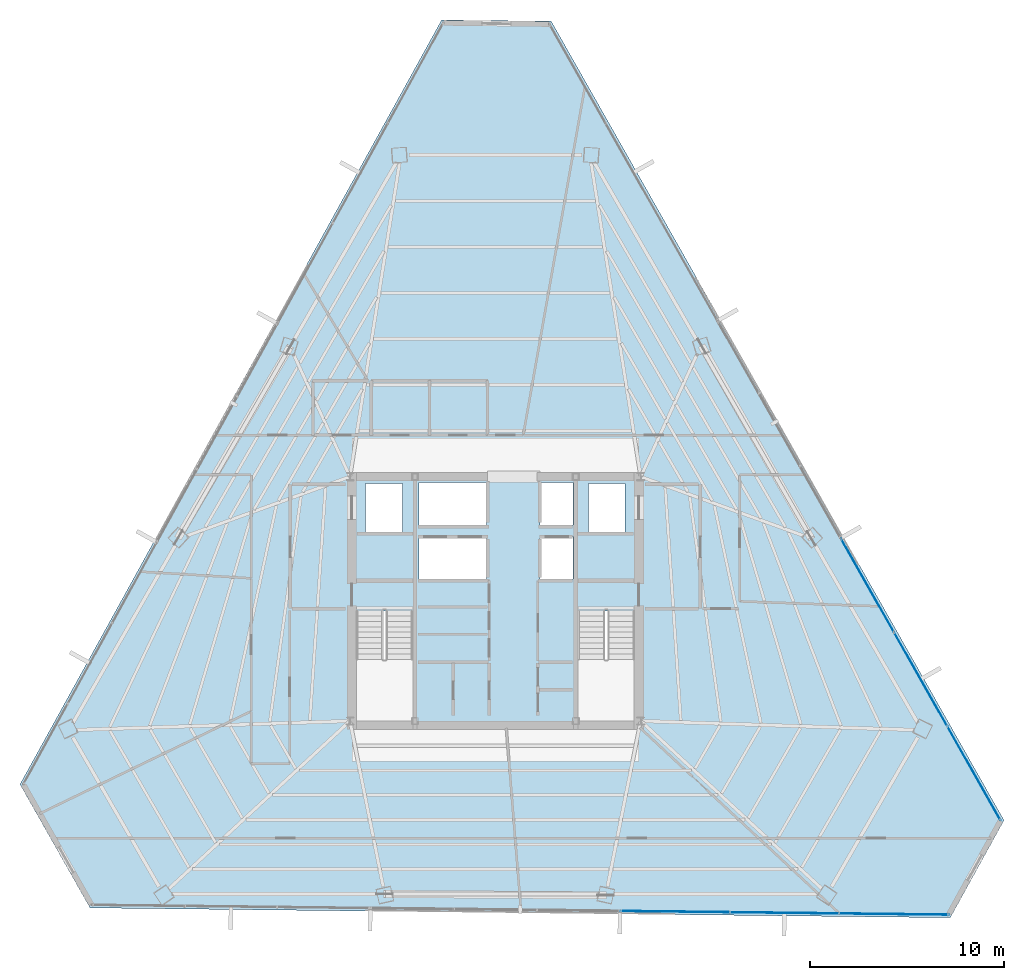
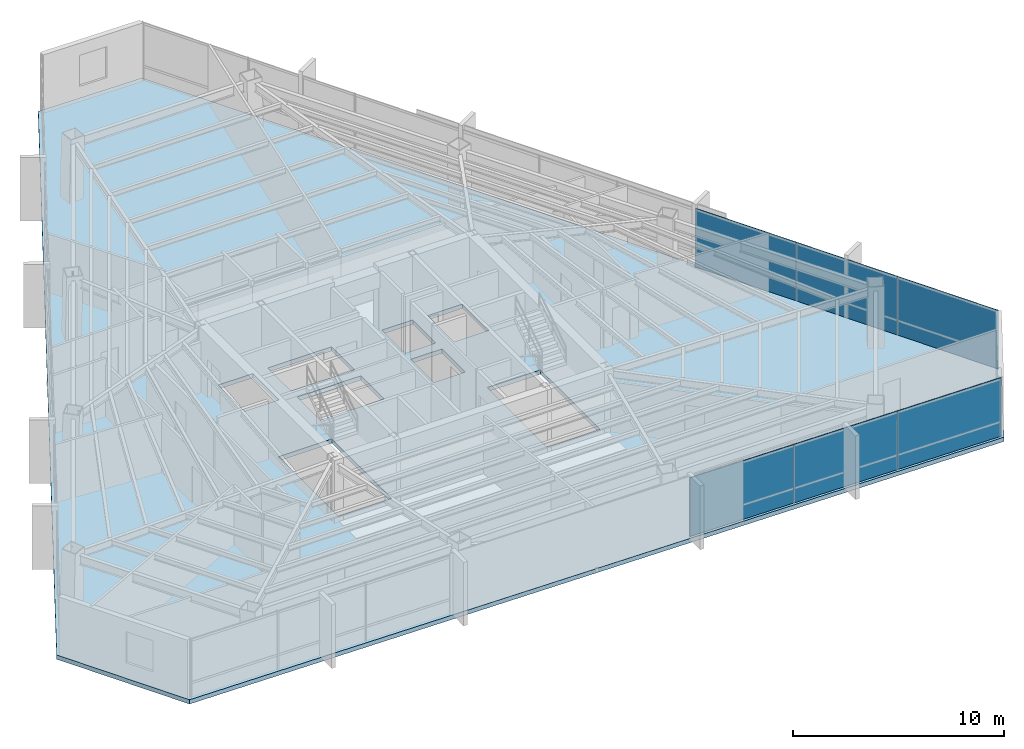
# One storey, part 34 of 41: 6 plates, 1 slab, 2 elements without a shape of their own.
"""IFC4 building model written with IfcOpenShell, lengths in metres."""

from ifc_helpers import new_model, si_unit, direction, frame, origin, origin_2d, place, context, subcontext, project, spatial, polyline, rectangle, outline, extrude, source, transform, mapped, material, layer, layer_set, type_object, type_shapes, element, aggregate, save


model = new_model("IFC4")

# Units and contexts
model_context = context("Model", 3, precision=1e-05, world=origin(), true_north=direction((0.0, 1.0)))
body_context = subcontext(model_context, "Body", "Model", "MODEL_VIEW")
ifc_project = project(units=[si_unit("LENGTHUNIT", "METRE"), si_unit("AREAUNIT", "SQUARE_METRE"), si_unit("VOLUMEUNIT", "CUBIC_METRE"), si_unit("PLANEANGLEUNIT", "RADIAN"), si_unit("MASSUNIT", "GRAM", prefix="KILO")], contexts=[model_context])

# Site, building, storey
site_placement = place(None, origin())
site = spatial("IfcSite", under=ifc_project, at=site_placement, CompositionType="ELEMENT")
building_placement = place(site_placement, origin())
building = spatial("IfcBuilding", under=site, at=building_placement, Name="Caelisora Broadcast Tower", CompositionType="ELEMENT")
storey_placement = place(building_placement, frame((0.0, 0.0, 209.60009765625)))
storey = spatial("IfcBuildingStorey", under=building, at=storey_placement, Name="L55", CompositionType="ELEMENT", Elevation=209.60009765625)

# Slab
ifc_material_1 = material(Name="Concrete 40 MPa (AS 3600 N40)", Category="concrete")
ifc_layer_1 = layer(ifc_material_1, 0.25, Name="Concrete 40 MPa (AS 3600 N40)")
ifc_layer_set_1 = layer_set([ifc_layer_1], Name="Concrete 40 MPa (AS 3600 N40)")
slab_type = type_object("IfcSlabType", Name="SL04", PredefinedType="FLOOR", material=ifc_layer_set_1)
slab_placement = place(storey_placement, frame((0.0, 0.0, -0.25)))
element("IfcSlab", 1, at=slab_placement, inside=storey, type_object=slab_type, Name="L55 suspended floor SL04", PredefinedType="FLOOR", context=body_context, shape_type="SweptSolid", body=[
    extrude(outline(polyline([(40.883056640625, 53.498046875), (35.22900390625, 53.56201171875), (13.47802734375, 14.131103515625), (17.089111328125, 7.757080078125), (61.468994140625, 7.25), (64.240966796875, 12.27392578125), (40.883056640625, 53.498046875)]), holes=[polyline([(30.820068359375, 17.39990234375), (33.739990234375, 17.39990234375), (33.739990234375, 23.080078125), (30.820068359375, 23.080078125), (30.820068359375, 17.39990234375)]), polyline([(42.260009765625, 17.39990234375), (45.179931640625, 17.39990234375), (45.179931640625, 23.080078125), (42.260009765625, 23.080078125), (42.260009765625, 17.39990234375)]), polyline([(42.800048828125, 27.14990234375), (44.699951171875, 27.14990234375), (44.699951171875, 29.64990234375), (42.800048828125, 29.64990234375), (42.800048828125, 27.14990234375)]), polyline([(40.300048828125, 24.719970703125), (42.0, 24.719970703125), (42.0, 26.919921875), (40.300048828125, 26.919921875), (40.300048828125, 24.719970703125)]), polyline([(40.300048828125, 27.5), (42.0, 27.5), (42.0, 29.699951171875), (40.300048828125, 29.699951171875), (40.300048828125, 27.5)]), polyline([(34.050048828125, 24.719970703125), (37.550048828125, 24.719970703125), (37.550048828125, 26.919921875), (34.050048828125, 26.919921875), (34.050048828125, 24.719970703125)]), polyline([(34.050048828125, 27.5), (37.550048828125, 27.5), (37.550048828125, 29.699951171875), (34.050048828125, 29.699951171875), (34.050048828125, 27.5)]), polyline([(31.300048828125, 27.14990234375), (33.199951171875, 27.14990234375), (33.199951171875, 29.64990234375), (31.300048828125, 29.64990234375), (31.300048828125, 27.14990234375)])]), origin(), (0.0, 0.0, 1.0), 0.25),
])

# Curtain wall, plates
ifc_material_2 = material(Name="Unitised Aluminium and Low-E Glass Curtain Wall", Category="glass")
curtain_wall_type = type_object("IfcCurtainWallType", Name="CW-Z4", PredefinedType="NOTDEFINED", material=ifc_material_2)
curtain_wall_1_placement = place(storey_placement, origin())
curtain_wall_1 = element("IfcCurtainWall", 2, at=curtain_wall_1_placement, inside=storey, type_object=curtain_wall_type, Name="L55 curtain wall CW-Z4", PredefinedType="NOTDEFINED")
ifc_material_3 = material(Name="Double Glazed Low-E Argon IGU", Category="glass")
ifc_layer_2 = layer(ifc_material_3, 0.030029296875, Name="Double Glazed Low-E Argon IGU")
ifc_layer_set_2 = layer_set([ifc_layer_2], Name="Double Glazed Low-E Argon IGU")
plate_type = type_object("IfcPlateType", Name="CWP-05", PredefinedType="CURTAIN_PANEL", material=ifc_layer_set_2)
shared_shape_1 = source(origin(), body_context, "Body", "SweptSolid", [
    extrude(rectangle(XDim=5.5771484375, YDim=0.030029296875, at=origin_2d()), origin(), (0.0, 0.0, 1.0), 3.39990234375),
])
plate_1_placement = place(storey_placement, frame((57.195556640625, 24.40380859375, 0.0), z_axis=(0.0, 0.0, 1.0), x_axis=(0.493031062956, -0.87001170737, 0.0)))
plate_1 = element("IfcPlate", 3, at=plate_1_placement, type_object=plate_type, Name="L55-CW-B03 glazed panel #1", PredefinedType="CURTAIN_PANEL", context=body_context, shape_type="MappedRepresentation", body=[
    mapped(shared_shape_1, transform((0.0, 0.0, 0.0), scale=1.0)),
])
plate_2_placement = place(storey_placement, frame((59.945068359375, 19.551513671875, 0.0), z_axis=(0.0, 0.0, 1.0), x_axis=(0.493031062956, -0.87001170737, 0.0)))
plate_2 = element("IfcPlate", 4, at=plate_2_placement, type_object=plate_type, Name="L55-CW-B03 glazed panel #2", PredefinedType="CURTAIN_PANEL", context=body_context, shape_type="MappedRepresentation", body=[
    mapped(shared_shape_1, transform((0.0, 0.0, 0.0), scale=1.0)),
])
plate_3_placement = place(storey_placement, frame((62.6943359375, 14.69921875, 0.0), z_axis=(0.0, 0.0, 1.0), x_axis=(0.493031062956, -0.87001170737, 0.0)))
plate_3 = element("IfcPlate", 5, at=plate_3_placement, type_object=plate_type, Name="L55-CW-B03 glazed panel #3", PredefinedType="CURTAIN_PANEL", context=body_context, shape_type="MappedRepresentation", body=[
    mapped(shared_shape_1, transform((0.0, 0.0, 0.0), scale=1.0)),
])
aggregate(curtain_wall_1, [plate_1, plate_2, plate_3])

curtain_wall_2_placement = place(storey_placement, origin())
curtain_wall_2 = element("IfcCurtainWall", 6, at=curtain_wall_2_placement, inside=storey, type_object=curtain_wall_type, Name="L55 curtain wall CW-Z4", PredefinedType="NOTDEFINED")
shared_shape_2 = source(origin(), body_context, "Body", "SweptSolid", [
    extrude(rectangle(XDim=5.647216796875, YDim=0.030029296875, at=origin_2d()), origin(), (0.0, 0.0, 1.0), 3.39990234375),
])
type_shapes(plate_type, [shared_shape_1, shared_shape_2])
plate_4_placement = place(storey_placement, frame((58.5576171875, 7.433349609375, 0.0), z_axis=(0.0, 0.0, 1.0), x_axis=(-0.99993565026, 0.011344396795, 0.0)))
plate_4 = element("IfcPlate", 7, at=plate_4_placement, type_object=plate_type, Name="L55-CW-B05 glazed panel #1", PredefinedType="CURTAIN_PANEL", context=body_context, shape_type="MappedRepresentation", body=[
    mapped(shared_shape_2, transform((0.0, 0.0, 0.0), scale=1.0)),
])
plate_5_placement = place(storey_placement, frame((52.91064453125, 7.497802734375, 0.0), z_axis=(0.0, 0.0, 1.0), x_axis=(-0.99993565026, 0.011344396795, 0.0)))
plate_5 = element("IfcPlate", 8, at=plate_5_placement, type_object=plate_type, Name="L55-CW-B05 glazed panel #2", PredefinedType="CURTAIN_PANEL", context=body_context, shape_type="MappedRepresentation", body=[
    mapped(shared_shape_2, transform((0.0, 0.0, 0.0), scale=1.0)),
])
plate_6_placement = place(storey_placement, frame((47.263671875, 7.562255859375, 0.0), z_axis=(0.0, 0.0, 1.0), x_axis=(-0.99993565026, 0.011344396795, 0.0)))
plate_6 = element("IfcPlate", 9, at=plate_6_placement, type_object=plate_type, Name="L55-CW-B05 glazed panel #3", PredefinedType="CURTAIN_PANEL", context=body_context, shape_type="MappedRepresentation", body=[
    mapped(shared_shape_2, transform((0.0, 0.0, 0.0), scale=1.0)),
])
aggregate(curtain_wall_2, [plate_4, plate_5, plate_6])

save(model, "model.ifc")
